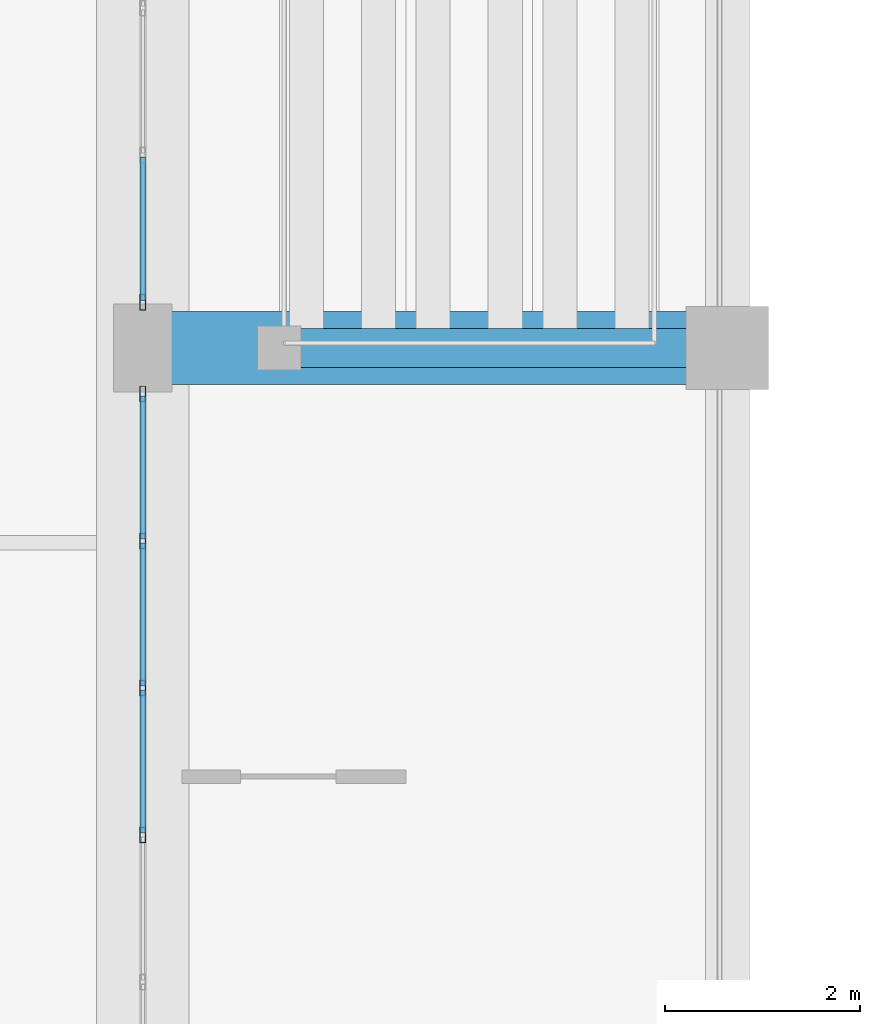
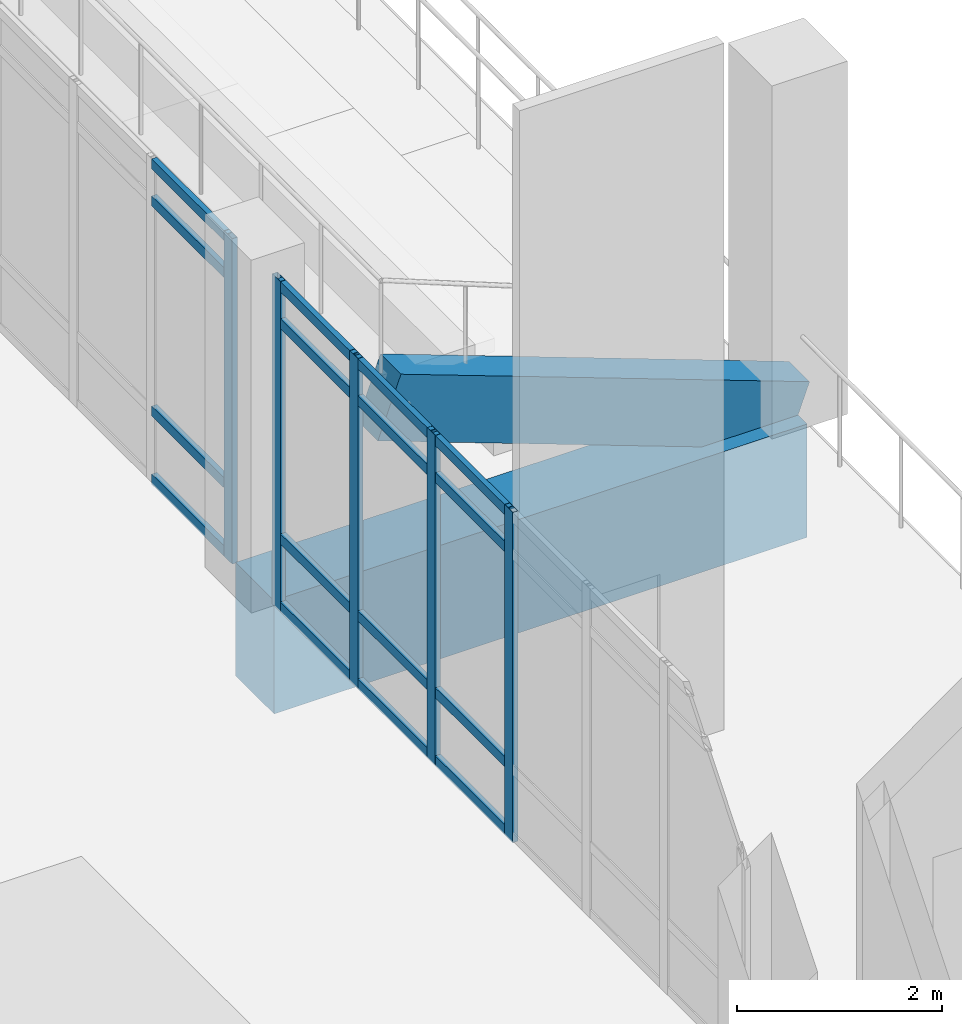
# One storey, part 55 of 161: 21 members, 2 beams, 2 elements without a shape of their own.
"""IFC4 building model written with IfcOpenShell, lengths in metres."""

import ifcopenshell
import ifcopenshell.guid

model = None  # the IFC model being written
_history = None  # IfcOwnerHistory: only IFC2X3 demands one
_inside = {}  # id of a spatial element -> (the spatial element, [elements in it])
_under = {}  # id of a project, library or spatial element -> (it, [spatial elements below it])
_declared = {}  # id of a project -> (the project, [libraries it declares])
_typed = {}  # id of a type object -> (the type object, [elements of that type])
_made_of = {}  # id of a material, layer set ... -> (it, [elements and type objects made of it])


def new_model(schema):
    """Start an empty IFC model of exactly this schema.

    Asked for "IFC4X3", IfcOpenShell would pick the latest addendum, in which some entities
    have other attributes; the version numbers below select the first issue.
    IFC2X3 requires an IfcOwnerHistory on every rooted entity: one is made here for all.
    """
    global model, _history
    if schema == "IFC4X3":
        model = ifcopenshell.file(schema_version=(4, 3, 0, 0))
    else:
        model = ifcopenshell.file(schema=schema)
    _inside.clear()
    _under.clear()
    _declared.clear()
    _typed.clear()
    _made_of.clear()
    _history = None
    if model.schema == "IFC2X3":
        org = make("IfcOrganization", Name="unknown")
        user = make(
            "IfcPersonAndOrganization",
            ThePerson=make("IfcPerson", FamilyName="unknown"),
            TheOrganization=org,
        )
        app = make(
            "IfcApplication",
            ApplicationDeveloper=org,
            Version="unknown",
            ApplicationFullName="unknown",
            ApplicationIdentifier="unknown",
        )
        _history = make(
            "IfcOwnerHistory",
            OwningUser=user,
            OwningApplication=app,
            ChangeAction="ADDED",
            CreationDate=0,
        )
    return model


def make(cls, **values):
    """One entity of the class cls with the attributes given. An attribute that is None is left unset."""
    return model.create_entity(
        cls, **{name: value for name, value in values.items() if value is not None}
    )


def rooted(cls, **values):
    """An entity with a GlobalId (a new one), such as an element, a storey or a relation."""
    return make(cls, GlobalId=ifcopenshell.guid.new(), OwnerHistory=_history, **values)


def si_unit(unit_type, name, prefix=None):
    """IfcSIUnit, for example si_unit("LENGTHUNIT", "METRE", prefix="MILLI")."""
    return make("IfcSIUnit", UnitType=unit_type, Prefix=prefix, Name=name)


def assignment(units):
    """IfcUnitAssignment: the units of a project."""
    return None if units is None else make("IfcUnitAssignment", Units=units)


def point(xyz):
    """IfcCartesianPoint."""
    return None if xyz is None else make("IfcCartesianPoint", Coordinates=xyz)


def direction(xyz):
    """IfcDirection."""
    return None if xyz is None else make("IfcDirection", DirectionRatios=xyz)


def frame(location, z_axis=None, x_axis=None):
    """IfcAxis2Placement3D, a coordinate frame: its origin and axes. An axis left out is left unset."""
    return make(
        "IfcAxis2Placement3D",
        Location=point(location),
        Axis=direction(z_axis),
        RefDirection=direction(x_axis),
    )


def frame_2d(location, x_axis=None):
    """IfcAxis2Placement2D, a coordinate frame in the plane: its origin and x axis."""
    return make(
        "IfcAxis2Placement2D", Location=point(location), RefDirection=direction(x_axis)
    )


def origin():
    """The frame at (0, 0, 0) with its axes left unset."""
    return frame((0.0, 0.0, 0.0))


def origin_2d():
    """The frame at (0, 0) in the plane with its x axis left unset."""
    return frame_2d((0.0, 0.0))


def place(relative_to, where):
    """IfcLocalPlacement: puts the frame where relative to a parent placement (None: the world)."""
    return make(
        "IfcLocalPlacement", PlacementRelTo=relative_to, RelativePlacement=where
    )


def context(
    kind, dimensions, precision=None, world=None, true_north=None, identifier=None
):
    """IfcGeometricRepresentationContext, for example the 3D "Model" context."""
    return make(
        "IfcGeometricRepresentationContext",
        ContextIdentifier=identifier,
        ContextType=kind,
        CoordinateSpaceDimension=dimensions,
        Precision=precision,
        WorldCoordinateSystem=world,
        TrueNorth=true_north,
    )


def subcontext(parent, identifier, kind, view, scale=None):
    """IfcGeometricRepresentationSubContext, for example "Body" below "Model"."""
    return make(
        "IfcGeometricRepresentationSubContext",
        ContextIdentifier=identifier,
        ContextType=kind,
        ParentContext=parent,
        TargetScale=scale,
        TargetView=view,
    )


def project(units=None, contexts=None):
    """IfcProject with its units and contexts."""
    return rooted(
        "IfcProject",
        Name="project",
        RepresentationContexts=contexts,
        UnitsInContext=assignment(units),
    )


def spatial(cls, under=None, at=None, **own):
    """A site, building, storey or space (cls), placed at a placement, below another one or the project."""
    s = rooted(cls, ObjectPlacement=at, **own)
    if under is not None:
        _under.setdefault(under.id(), (under, []))[1].append(s)
    return s


def profile(cls, at=None, kind="AREA", **sizes):
    """A parametric profile (cls). Its sizes go by their IFC names, for example OverallWidth=200.0."""
    return make(cls, ProfileType=kind, Position=at, **sizes)


def rectangle(**sizes):
    """IfcRectangleProfileDef."""
    return profile("IfcRectangleProfileDef", **sizes)


def hollow_rectangle(**sizes):
    """IfcRectangleHollowProfileDef."""
    return profile("IfcRectangleHollowProfileDef", **sizes)


def extrude(swept, where, along, depth):
    """IfcExtrudedAreaSolid: the profile swept, set in the frame where, extruded along a direction by depth."""
    return make(
        "IfcExtrudedAreaSolid",
        SweptArea=swept,
        Position=where,
        ExtrudedDirection=direction(along),
        Depth=depth,
    )


def shape(context_of_items, identifier, shape_type, items):
    """IfcShapeRepresentation: the items that make up one representation, for example the "Body"."""
    return make(
        "IfcShapeRepresentation",
        ContextOfItems=context_of_items,
        RepresentationIdentifier=identifier,
        RepresentationType=shape_type,
        Items=items,
    )


def material(Name=None, Category=None):
    """IfcMaterial."""
    return make("IfcMaterial", Name=Name, Category=Category)


def layer(
    of_material, thickness, ventilated=None, Name=None, Category=None, Priority=None
):
    """IfcMaterialLayer: one layer of a wall or slab, of a material (None: an air gap)."""
    return make(
        "IfcMaterialLayer",
        Material=of_material,
        LayerThickness=thickness,
        IsVentilated=ventilated,
        Name=Name,
        Category=Category,
        Priority=Priority,
    )


def layer_set(layers, Name=None):
    """IfcMaterialLayerSet."""
    return make("IfcMaterialLayerSet", MaterialLayers=layers, LayerSetName=Name)


def material_profile(
    of_material, cross_section, Name=None, Category=None, Priority=None
):
    """IfcMaterialProfile: a cross section and its material."""
    return make(
        "IfcMaterialProfile",
        Name=Name,
        Material=of_material,
        Profile=cross_section,
        Priority=Priority,
        Category=Category,
    )


def profile_set(profiles, Name=None, composite=None):
    """IfcMaterialProfileSet."""
    return make(
        "IfcMaterialProfileSet",
        Name=Name,
        MaterialProfiles=profiles,
        CompositeProfile=composite,
    )


def made_of(thing, what):
    """Note that an element or type object is made of a material, layer set ...; save() writes the relation."""
    if what is not None:
        _made_of.setdefault(what.id(), (what, []))[1].append(thing)
    return thing


def type_object(cls, material=None, **own):
    """A type object (cls), such as IfcWallType, which elements share."""
    return made_of(rooted(cls, **own), material)


def element(
    cls,
    number,
    at=None,
    inside=None,
    cuts=None,
    type_object=None,
    material=None,
    context=None,
    identifier="Body",
    shape_type=None,
    held_by="IfcProductDefinitionShape",
    body=None,
    shapes=None,
    **own,
):
    """One element of the class cls, such as IfcWall. Its Tag is "e" and its number.

    at: its placement. inside: the storey or other place that contains it. cuts: it is an
    opening in that element (IfcRelVoidsElement). A single representation is given by context,
    identifier, shape_type and body (its items); several are given by shapes. held_by: the class
    of the entity that holds the representations. save() writes the other relations.
    """
    e = rooted(cls, Tag="e%d" % number, ObjectPlacement=at, **own)
    if body is not None:
        shapes = [shape(context, identifier, shape_type, body)]
    if shapes is not None:
        e.Representation = make(held_by, Representations=shapes)
    if inside is not None:
        _inside.setdefault(inside.id(), (inside, []))[1].append(e)
    if cuts is not None:
        rooted(
            "IfcRelVoidsElement", RelatingBuildingElement=cuts, RelatedOpeningElement=e
        )
    if type_object is not None:
        _typed.setdefault(type_object.id(), (type_object, []))[1].append(e)
    return made_of(e, material)


def aggregate(whole, parts):
    """IfcRelAggregates: a whole, such as a stair, and the parts it consists of."""
    return rooted("IfcRelAggregates", RelatingObject=whole, RelatedObjects=parts)


def save(model, path):
    """Write the relations noted so far, then the file.

    IfcRelAggregates (storeys below a building ...), IfcRelContainedInSpatialStructure (elements
    in a storey), IfcRelDefinesByType, IfcRelAssociatesMaterial and IfcRelDeclares: one each for
    every whole, place, type object, material and project.
    """
    for whole, parts in _under.values():
        aggregate(whole, parts)
    for where, things in _inside.values():
        rooted(
            "IfcRelContainedInSpatialStructure",
            RelatedElements=things,
            RelatingStructure=where,
        )
    for kind, things in _typed.values():
        rooted("IfcRelDefinesByType", RelatedObjects=things, RelatingType=kind)
    for what, things in _made_of.values():
        rooted("IfcRelAssociatesMaterial", RelatedObjects=things, RelatingMaterial=what)
    for by, libraries in _declared.values():
        rooted("IfcRelDeclares", RelatingContext=by, RelatedDefinitions=libraries)
    model.write(path)


model = new_model("IFC4")

# Units and contexts
model_context = context("Model", 3, precision=1e-05, world=origin(), true_north=direction((0.0, 1.0)))
body_context = subcontext(model_context, "Body", "Model", "MODEL_VIEW")
ifc_project = project(units=[si_unit("LENGTHUNIT", "METRE"), si_unit("AREAUNIT", "SQUARE_METRE"), si_unit("VOLUMEUNIT", "CUBIC_METRE"), si_unit("PLANEANGLEUNIT", "RADIAN"), si_unit("MASSUNIT", "GRAM", prefix="KILO")], contexts=[model_context])

# Site, building, storey
site_placement = place(None, origin())
site = spatial("IfcSite", under=ifc_project, at=site_placement, CompositionType="ELEMENT")
building_placement = place(site_placement, origin())
building = spatial("IfcBuilding", under=site, at=building_placement, Name="Mersad Railyard Sports Hall", CompositionType="ELEMENT")
storey_placement = place(building_placement, frame((0.0, 0.0, 4.800048828125)))
storey = spatial("IfcBuildingStorey", under=building, at=storey_placement, Name="L01", CompositionType="ELEMENT", Elevation=4.800048828125)

# Curtain wall, members
ifc_material_1 = material(Name="Aluminium 6063-T6", Category="aluminium")
ifc_layer_1 = layer(ifc_material_1, 0.159912109375)
ifc_layer_set_1 = layer_set([ifc_layer_1], Name="Aluminium 6063-T6")
curtain_wall_type_1 = type_object("IfcCurtainWallType", Name="ARC-CW-CW26", PredefinedType="USERDEFINED", material=ifc_layer_set_1)
curtain_wall_1_placement = place(storey_placement, origin())
curtain_wall_1 = element("IfcCurtainWall", 1, at=curtain_wall_1_placement, inside=storey, type_object=curtain_wall_type_1, Name="Curtain wall CW26-0068", ObjectType="CURTAIN WALL", PredefinedType="USERDEFINED")
ifc_material_profile_1 = material_profile(ifc_material_1, hollow_rectangle(XDim=0.06005859375, YDim=0.159912109375, WallThickness=0.00390625, at=origin_2d()), Name="AL MULLION 60x160x4")
ifc_profile_set_1 = profile_set([ifc_material_profile_1], Name="Aluminium 6063-T6")
member_type_1 = type_object("IfcMemberType", Name="ARC-CW-MUL01", PredefinedType="MULLION", material=ifc_profile_set_1)
member_1_placement = place(storey_placement, frame((131.0, 28.5, -0.02001953125), z_axis=(0.0, 0.0, 1.0), x_axis=(1.0, 0.0, 0.0)))
member_1 = element("IfcMember", 2, at=member_1_placement, type_object=member_type_1, Name="CW26 Mullion 4", PredefinedType="MULLION", context=body_context, shape_type="SweptSolid", body=[
    extrude(hollow_rectangle(XDim=0.06005859375, YDim=0.159912109375, WallThickness=0.00390625, at=origin_2d()), origin(), (0.0, 0.0, 1.0), 3.929931640625),
])
member_2_placement = place(storey_placement, frame((131.0, 30.010009765625, -0.02001953125), z_axis=(0.0, 0.0, 1.0), x_axis=(1.0, 0.0, 0.0)))
member_2 = element("IfcMember", 3, at=member_2_placement, type_object=member_type_1, Name="CW26 Mullion 5", PredefinedType="MULLION", context=body_context, shape_type="SweptSolid", body=[
    extrude(hollow_rectangle(XDim=0.06005859375, YDim=0.159912109375, WallThickness=0.00390625, at=origin_2d()), origin(), (0.0, 0.0, 1.0), 3.929931640625),
])
member_3_placement = place(storey_placement, frame((131.0, 31.52001953125, -0.02001953125), z_axis=(0.0, 0.0, 1.0), x_axis=(1.0, 0.0, 0.0)))
member_3 = element("IfcMember", 4, at=member_3_placement, type_object=member_type_1, Name="CW26 Mullion 6", PredefinedType="MULLION", context=body_context, shape_type="SweptSolid", body=[
    extrude(hollow_rectangle(XDim=0.06005859375, YDim=0.159912109375, WallThickness=0.00390625, at=origin_2d()), origin(), (0.0, 0.0, 1.0), 3.929931640625),
])
member_4_placement = place(storey_placement, frame((131.0, 33.030029296875, -0.02001953125), z_axis=(0.0, 0.0, 1.0), x_axis=(1.0, 0.0, 0.0)))
member_4 = element("IfcMember", 5, at=member_4_placement, type_object=member_type_1, Name="CW26 Mullion 7", PredefinedType="MULLION", context=body_context, shape_type="SweptSolid", body=[
    extrude(hollow_rectangle(XDim=0.06005859375, YDim=0.159912109375, WallThickness=0.00390625, at=origin_2d()), origin(), (0.0, 0.0, 1.0), 3.929931640625),
])

# Curtain wall, member
ifc_layer_2 = layer(ifc_material_1, 0.159912109375)
ifc_layer_set_2 = layer_set([ifc_layer_2], Name="Aluminium 6063-T6")
curtain_wall_type_2 = type_object("IfcCurtainWallType", Name="ARC-CW-CW14", PredefinedType="USERDEFINED", material=ifc_layer_set_2)
curtain_wall_2_placement = place(storey_placement, origin())
curtain_wall_2 = element("IfcCurtainWall", 6, at=curtain_wall_2_placement, inside=storey, type_object=curtain_wall_type_2, Name="Curtain wall CW14-0070", ObjectType="CURTAIN WALL", PredefinedType="USERDEFINED")
member_5_placement = place(storey_placement, frame((131.0, 33.969970703125, -0.02001953125), z_axis=(0.0, 0.0, 1.0), x_axis=(1.0, 0.0, 0.0)))
member_5 = element("IfcMember", 7, at=member_5_placement, type_object=member_type_1, Name="CW14 Mullion 1", PredefinedType="MULLION", context=body_context, shape_type="SweptSolid", body=[
    extrude(hollow_rectangle(XDim=0.06005859375, YDim=0.159912109375, WallThickness=0.00390625, at=origin_2d()), origin(), (0.0, 0.0, 1.0), 3.869873046875),
])

# Member
ifc_material_profile_2 = material_profile(ifc_material_1, hollow_rectangle(XDim=0.06005859375, YDim=0.1201171875, WallThickness=0.00390625, at=origin_2d()), Name="AL TRANSOM 60x120x4")
ifc_profile_set_2 = profile_set([ifc_material_profile_2], Name="Aluminium 6063-T6")
member_type_2 = type_object("IfcMemberType", Name="ARC-CW-TRN01", PredefinedType="USERDEFINED", material=ifc_profile_set_2)
member_6_placement = place(storey_placement, frame((131.0, 28.52001953125, 0.0400390625), z_axis=(0.0, 1.0, 0.0), x_axis=(-1.0, 0.0, 0.0)))
member_6 = element("IfcMember", 8, at=member_6_placement, type_object=member_type_2, Name="CW26 Transom 1-4", ObjectType="TRANSOM", PredefinedType="USERDEFINED", context=body_context, shape_type="SweptSolid", body=[
    extrude(hollow_rectangle(XDim=0.06005859375, YDim=0.1201171875, WallThickness=0.00390625, at=origin_2d()), origin(), (0.0, 0.0, 1.0), 1.469970703125),
])

member_7_placement = place(storey_placement, frame((131.0, 30.030029296875, 0.0400390625), z_axis=(0.0, 1.0, 0.0), x_axis=(-1.0, 0.0, 0.0)))
member_7 = element("IfcMember", 9, at=member_7_placement, type_object=member_type_2, Name="CW26 Transom 1-5", ObjectType="TRANSOM", PredefinedType="USERDEFINED", context=body_context, shape_type="SweptSolid", body=[
    extrude(hollow_rectangle(XDim=0.06005859375, YDim=0.1201171875, WallThickness=0.00390625, at=origin_2d()), origin(), (0.0, 0.0, 1.0), 1.469970703125),
])

member_8_placement = place(storey_placement, frame((131.0, 31.5400390625, 0.0400390625), z_axis=(0.0, 1.0, 0.0), x_axis=(-1.0, 0.0, 0.0)))
member_8 = element("IfcMember", 10, at=member_8_placement, type_object=member_type_2, Name="CW26 Transom 1-6", ObjectType="TRANSOM", PredefinedType="USERDEFINED", context=body_context, shape_type="SweptSolid", body=[
    extrude(hollow_rectangle(XDim=0.06005859375, YDim=0.1201171875, WallThickness=0.00390625, at=origin_2d()), origin(), (0.0, 0.0, 1.0), 1.469970703125),
])

member_9_placement = place(storey_placement, frame((131.0, 28.52001953125, 0.849853515625), z_axis=(0.0, 1.0, 0.0), x_axis=(-1.0, 0.0, 0.0)))
member_9 = element("IfcMember", 11, at=member_9_placement, type_object=member_type_2, Name="CW26 Transom 2-4", ObjectType="TRANSOM", PredefinedType="USERDEFINED", context=body_context, shape_type="SweptSolid", body=[
    extrude(hollow_rectangle(XDim=0.06005859375, YDim=0.1201171875, WallThickness=0.00390625, at=origin_2d()), origin(), (0.0, 0.0, 1.0), 1.469970703125),
])

member_10_placement = place(storey_placement, frame((131.0, 30.030029296875, 0.849853515625), z_axis=(0.0, 1.0, 0.0), x_axis=(-1.0, 0.0, 0.0)))
member_10 = element("IfcMember", 12, at=member_10_placement, type_object=member_type_2, Name="CW26 Transom 2-5", ObjectType="TRANSOM", PredefinedType="USERDEFINED", context=body_context, shape_type="SweptSolid", body=[
    extrude(hollow_rectangle(XDim=0.06005859375, YDim=0.1201171875, WallThickness=0.00390625, at=origin_2d()), origin(), (0.0, 0.0, 1.0), 1.469970703125),
])

member_11_placement = place(storey_placement, frame((131.0, 31.5400390625, 0.849853515625), z_axis=(0.0, 1.0, 0.0), x_axis=(-1.0, 0.0, 0.0)))
member_11 = element("IfcMember", 13, at=member_11_placement, type_object=member_type_2, Name="CW26 Transom 2-6", ObjectType="TRANSOM", PredefinedType="USERDEFINED", context=body_context, shape_type="SweptSolid", body=[
    extrude(hollow_rectangle(XDim=0.06005859375, YDim=0.1201171875, WallThickness=0.00390625, at=origin_2d()), origin(), (0.0, 0.0, 1.0), 1.469970703125),
])

member_12_placement = place(storey_placement, frame((131.0, 28.52001953125, 3.409912109375), z_axis=(0.0, 1.0, 0.0), x_axis=(-1.0, 0.0, 0.0)))
member_12 = element("IfcMember", 14, at=member_12_placement, type_object=member_type_2, Name="CW26 Transom 3-4", ObjectType="TRANSOM", PredefinedType="USERDEFINED", context=body_context, shape_type="SweptSolid", body=[
    extrude(hollow_rectangle(XDim=0.06005859375, YDim=0.1201171875, WallThickness=0.00390625, at=origin_2d()), origin(), (0.0, 0.0, 1.0), 1.469970703125),
])

member_13_placement = place(storey_placement, frame((131.0, 30.030029296875, 3.409912109375), z_axis=(0.0, 1.0, 0.0), x_axis=(-1.0, 0.0, 0.0)))
member_13 = element("IfcMember", 15, at=member_13_placement, type_object=member_type_2, Name="CW26 Transom 3-5", ObjectType="TRANSOM", PredefinedType="USERDEFINED", context=body_context, shape_type="SweptSolid", body=[
    extrude(hollow_rectangle(XDim=0.06005859375, YDim=0.1201171875, WallThickness=0.00390625, at=origin_2d()), origin(), (0.0, 0.0, 1.0), 1.469970703125),
])

member_14_placement = place(storey_placement, frame((131.0, 31.5400390625, 3.409912109375), z_axis=(0.0, 1.0, 0.0), x_axis=(-1.0, 0.0, 0.0)))
member_14 = element("IfcMember", 16, at=member_14_placement, type_object=member_type_2, Name="CW26 Transom 3-6", ObjectType="TRANSOM", PredefinedType="USERDEFINED", context=body_context, shape_type="SweptSolid", body=[
    extrude(hollow_rectangle(XDim=0.06005859375, YDim=0.1201171875, WallThickness=0.00390625, at=origin_2d()), origin(), (0.0, 0.0, 1.0), 1.469970703125),
])

member_15_placement = place(storey_placement, frame((131.0, 28.52001953125, 3.849853515625), z_axis=(0.0, 1.0, 0.0), x_axis=(-1.0, 0.0, 0.0)))
member_15 = element("IfcMember", 17, at=member_15_placement, type_object=member_type_2, Name="CW26 Transom 4-4", ObjectType="TRANSOM", PredefinedType="USERDEFINED", context=body_context, shape_type="SweptSolid", body=[
    extrude(hollow_rectangle(XDim=0.06005859375, YDim=0.1201171875, WallThickness=0.00390625, at=origin_2d()), origin(), (0.0, 0.0, 1.0), 1.469970703125),
])

member_16_placement = place(storey_placement, frame((131.0, 30.030029296875, 3.849853515625), z_axis=(0.0, 1.0, 0.0), x_axis=(-1.0, 0.0, 0.0)))
member_16 = element("IfcMember", 18, at=member_16_placement, type_object=member_type_2, Name="CW26 Transom 4-5", ObjectType="TRANSOM", PredefinedType="USERDEFINED", context=body_context, shape_type="SweptSolid", body=[
    extrude(hollow_rectangle(XDim=0.06005859375, YDim=0.1201171875, WallThickness=0.00390625, at=origin_2d()), origin(), (0.0, 0.0, 1.0), 1.469970703125),
])

member_17_placement = place(storey_placement, frame((131.0, 31.5400390625, 3.849853515625), z_axis=(0.0, 1.0, 0.0), x_axis=(-1.0, 0.0, 0.0)))
member_17 = element("IfcMember", 19, at=member_17_placement, type_object=member_type_2, Name="CW26 Transom 4-6", ObjectType="TRANSOM", PredefinedType="USERDEFINED", context=body_context, shape_type="SweptSolid", body=[
    extrude(hollow_rectangle(XDim=0.06005859375, YDim=0.1201171875, WallThickness=0.00390625, at=origin_2d()), origin(), (0.0, 0.0, 1.0), 1.469970703125),
])

aggregate(curtain_wall_1, [member_1, member_2, member_3, member_4, member_6, member_7, member_8, member_9, member_10, member_11, member_12, member_13, member_14, member_15, member_16, member_17])

member_18_placement = place(storey_placement, frame((131.0, 33.989990234375, 0.0400390625), z_axis=(0.0, 1.0, 0.0), x_axis=(-1.0, 0.0, 0.0)))
member_18 = element("IfcMember", 20, at=member_18_placement, type_object=member_type_2, Name="CW14 Transom 1-1", ObjectType="TRANSOM", PredefinedType="USERDEFINED", context=body_context, shape_type="SweptSolid", body=[
    extrude(hollow_rectangle(XDim=0.06005859375, YDim=0.1201171875, WallThickness=0.00390625, at=origin_2d()), origin(), (0.0, 0.0, 1.0), 1.469970703125),
])

member_19_placement = place(storey_placement, frame((131.0, 33.989990234375, 0.849853515625), z_axis=(0.0, 1.0, 0.0), x_axis=(-1.0, 0.0, 0.0)))
member_19 = element("IfcMember", 21, at=member_19_placement, type_object=member_type_2, Name="CW14 Transom 2-1", ObjectType="TRANSOM", PredefinedType="USERDEFINED", context=body_context, shape_type="SweptSolid", body=[
    extrude(hollow_rectangle(XDim=0.06005859375, YDim=0.1201171875, WallThickness=0.00390625, at=origin_2d()), origin(), (0.0, 0.0, 1.0), 1.469970703125),
])

member_20_placement = place(storey_placement, frame((131.0, 33.989990234375, 3.349853515625), z_axis=(0.0, 1.0, 0.0), x_axis=(-1.0, 0.0, 0.0)))
member_20 = element("IfcMember", 22, at=member_20_placement, type_object=member_type_2, Name="CW14 Transom 3-1", ObjectType="TRANSOM", PredefinedType="USERDEFINED", context=body_context, shape_type="SweptSolid", body=[
    extrude(hollow_rectangle(XDim=0.06005859375, YDim=0.1201171875, WallThickness=0.00390625, at=origin_2d()), origin(), (0.0, 0.0, 1.0), 1.469970703125),
])

member_21_placement = place(storey_placement, frame((131.0, 33.989990234375, 3.7900390625), z_axis=(0.0, 1.0, 0.0), x_axis=(-1.0, 0.0, 0.0)))
member_21 = element("IfcMember", 23, at=member_21_placement, type_object=member_type_2, Name="CW14 Transom 4-1", ObjectType="TRANSOM", PredefinedType="USERDEFINED", context=body_context, shape_type="SweptSolid", body=[
    extrude(hollow_rectangle(XDim=0.06005859375, YDim=0.1201171875, WallThickness=0.00390625, at=origin_2d()), origin(), (0.0, 0.0, 1.0), 1.469970703125),
])

aggregate(curtain_wall_2, [member_5, member_18, member_19, member_20, member_21])

# Beams
ifc_material_2 = material(Name="Concrete C40/50", Category="concrete")
ifc_material_profile_3 = material_profile(ifc_material_2, rectangle(XDim=0.39990234375, YDim=0.75, at=origin_2d()), Name="RC 400x750")
ifc_profile_set_3 = profile_set([ifc_material_profile_3], Name="Concrete C40/50")
beam_type_1 = type_object("IfcBeamType", Name="STR-BM-RK02", PredefinedType="USERDEFINED", material=ifc_profile_set_3)
beam_1_placement = place(storey_placement, frame((132.39990234375, 33.5, 1.699951171875), z_axis=(0.938000128982, 0.0, -0.34663490596), x_axis=(0.0, 1.0, 0.0)))
element("IfcBeam", 24, at=beam_1_placement, inside=storey, type_object=beam_type_1, Name="Beam RK02-0843", ObjectType="RAKER", PredefinedType="USERDEFINED", context=body_context, shape_type="SweptSolid", body=[
    extrude(rectangle(XDim=0.39990234375, YDim=0.75, at=origin_2d()), origin(), (0.0, 0.0, 1.0), 4.904052734375),
])
ifc_material_3 = material(Name="Post-tensioned concrete C50/60", Category="concrete")
ifc_material_profile_4 = material_profile(ifc_material_3, rectangle(XDim=0.75, YDim=1.35009765625, at=origin_2d()), Name="PT 750x1350")
ifc_profile_set_4 = profile_set([ifc_material_profile_4], Name="Post-tensioned concrete C50/60")
beam_type_2 = type_object("IfcBeamType", Name="STR-BM-TG02", PredefinedType="USERDEFINED", material=ifc_profile_set_4)
beam_2_placement = place(storey_placement, frame((131.0, 33.5, -0.675048828125), z_axis=(1.0, 0.0, 0.0), x_axis=(0.0, 1.0, 0.0)))
element("IfcBeam", 25, at=beam_2_placement, inside=storey, type_object=beam_type_2, Name="Transfer girder TG02-0621", ObjectType="GIRDER", PredefinedType="USERDEFINED", context=body_context, shape_type="SweptSolid", body=[
    extrude(rectangle(XDim=0.75, YDim=1.35009765625, at=origin_2d()), origin(), (0.0, 0.0, 1.0), 6.0),
])

save(model, "model.ifc")
